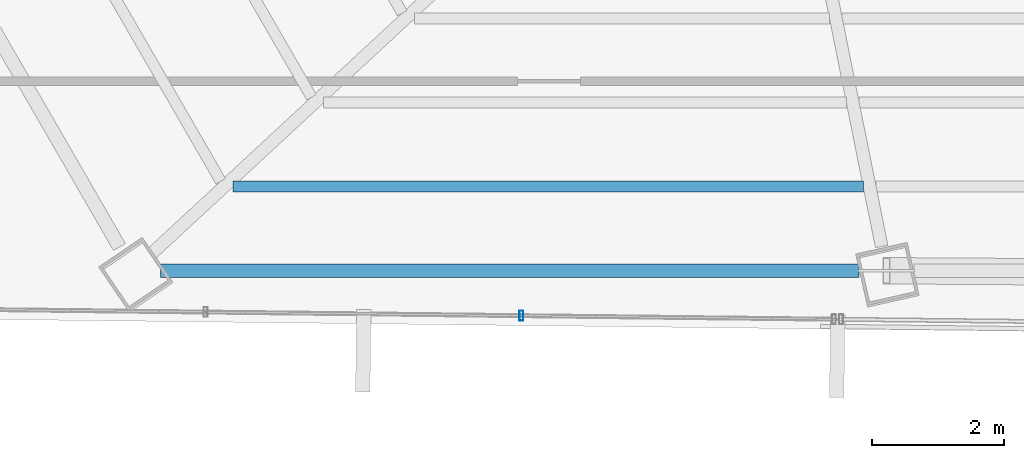
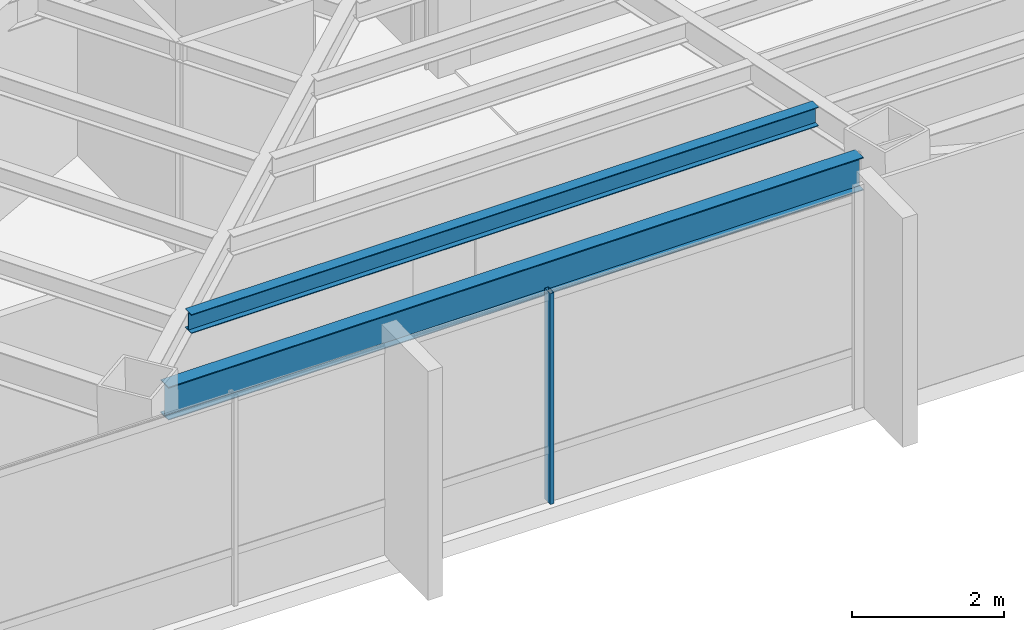
# One storey, part 5 of 41: 2 beams, 1 member, 1 element without a shape of its own.
"""IFC4 building model written with IfcOpenShell, lengths in metres."""

from ifc_helpers import new_model, si_unit, direction, frame, origin, origin_2d, place, context, subcontext, project, spatial, hollow_rectangle, i_section, extrude, source, transform, mapped, material, material_profile, profile_set, type_object, type_shapes, element, aggregate, save


model = new_model("IFC4")

# Units and contexts
model_context = context("Model", 3, precision=1e-05, world=origin(), true_north=direction((0.0, 1.0)))
body_context = subcontext(model_context, "Body", "Model", "MODEL_VIEW")
ifc_project = project(units=[si_unit("LENGTHUNIT", "METRE"), si_unit("AREAUNIT", "SQUARE_METRE"), si_unit("VOLUMEUNIT", "CUBIC_METRE"), si_unit("PLANEANGLEUNIT", "RADIAN"), si_unit("MASSUNIT", "GRAM", prefix="KILO")], contexts=[model_context])

# Site, building, storey
site_placement = place(None, origin())
site = spatial("IfcSite", under=ifc_project, at=site_placement, CompositionType="ELEMENT")
building_placement = place(site_placement, origin())
building = spatial("IfcBuilding", under=site, at=building_placement, Name="Caelisora Broadcast Tower", CompositionType="ELEMENT")
storey_placement = place(building_placement, frame((0.0, 0.0, 209.60009765625)))
storey = spatial("IfcBuildingStorey", under=building, at=storey_placement, Name="L55", CompositionType="ELEMENT", Elevation=209.60009765625)

# Beams
ifc_material_1 = material(Name="Steel Grade 350 (AS/NZS 3679.1)", Category="steel")
ifc_material_profile_1 = material_profile(ifc_material_1, i_section(OverallWidth=0.208984375, OverallDepth=0.532958984375, WebThickness=0.01025390625, FlangeThickness=0.015625, at=origin_2d()), Name="Steel Grade 350 (AS/NZS 3679.1)")
ifc_profile_set_1 = profile_set([ifc_material_profile_1], Name="Steel Grade 350 (AS/NZS 3679.1)")
beam_type_1 = type_object("IfcBeamType", Name="PG05", PredefinedType="BEAM", material=ifc_profile_set_1)
shared_shape_1 = source(origin(), body_context, "Body", "SweptSolid", [
    extrude(i_section(OverallWidth=0.208984375, OverallDepth=0.532958984375, WebThickness=0.01025390625, FlangeThickness=0.015625, at=origin_2d()), origin(), (0.0, 0.0, 1.0), 10.58984375),
])
type_shapes(beam_type_1, [shared_shape_1])
beam_1_placement = place(storey_placement, frame((21.283203125, 8.477294921875, 3.13330078125), z_axis=(1.0, 0.0, 0.0), x_axis=(0.0, 1.0, 0.0)))
element("IfcBeam", 1, at=beam_1_placement, inside=storey, type_object=beam_type_1, Name="L55 beam PG05", PredefinedType="BEAM", context=body_context, shape_type="MappedRepresentation", body=[
    mapped(shared_shape_1, transform((0.0, 0.0, 0.0), scale=1.0)),
])
ifc_material_profile_2 = material_profile(ifc_material_1, i_section(OverallWidth=0.166015625, OverallDepth=0.30712890625, WebThickness=0.006591796875, FlangeThickness=0.01171875, at=origin_2d()), Name="Steel Grade 350 (AS/NZS 3679.1)")
ifc_profile_set_2 = profile_set([ifc_material_profile_2], Name="Steel Grade 350 (AS/NZS 3679.1)")
beam_type_2 = type_object("IfcBeamType", Name="SB03", PredefinedType="JOIST", material=ifc_profile_set_2)
shared_shape_2 = source(origin(), body_context, "Body", "SweptSolid", [
    extrude(i_section(OverallWidth=0.166015625, OverallDepth=0.30712890625, WebThickness=0.006591796875, FlangeThickness=0.01171875, at=origin_2d()), origin(), (0.0, 0.0, 1.0), 9.558349609375),
])
type_shapes(beam_type_2, [shared_shape_2])
beam_2_placement = place(storey_placement, frame((22.380859375, 9.751953125, 3.246337890625), z_axis=(1.0, 0.0, 0.0), x_axis=(0.0, 1.0, 0.0)))
element("IfcBeam", 2, at=beam_2_placement, inside=storey, type_object=beam_type_2, Name="L55 beam SB03", PredefinedType="JOIST", context=body_context, shape_type="MappedRepresentation", body=[
    mapped(shared_shape_2, transform((0.0, 0.0, 0.0), scale=1.0)),
])

# Curtain wall, member
ifc_material_2 = material(Name="Unitised Aluminium and Low-E Glass Curtain Wall", Category="glass")
curtain_wall_type = type_object("IfcCurtainWallType", Name="CW-Z4", PredefinedType="NOTDEFINED", material=ifc_material_2)
curtain_wall_placement = place(storey_placement, origin())
curtain_wall = element("IfcCurtainWall", 3, at=curtain_wall_placement, inside=storey, type_object=curtain_wall_type, Name="L55 curtain wall CW-Z4", PredefinedType="NOTDEFINED")
ifc_material_3 = material(Name="Aluminium 6063-T6 Anodised Terracotta Bronze", Category="aluminium")
ifc_material_profile_3 = material_profile(ifc_material_3, hollow_rectangle(XDim=0.06005859375, YDim=0.14990234375, WallThickness=0.00341796875, at=origin_2d()), Name="Aluminium 6063-T6 Anodised Terracotta Bronze")
ifc_profile_set_3 = profile_set([ifc_material_profile_3], Name="Aluminium 6063-T6 Anodised Terracotta Bronze")
member_type = type_object("IfcMemberType", Name="CWM-03", PredefinedType="MULLION", material=ifc_profile_set_3)
shared_shape_3 = source(origin(), body_context, "Body", "SweptSolid", [
    extrude(hollow_rectangle(XDim=0.06005859375, YDim=0.14990234375, WallThickness=0.00341796875, at=origin_2d()), origin(), (0.0, 0.0, 1.0), 3.39990234375),
])
type_shapes(member_type, [shared_shape_3])
member_placement = place(storey_placement, frame((26.75439453125, 7.796630859375, 0.0), z_axis=(0.0, 0.0, 1.0), x_axis=(1.0, 0.0, 0.0)))
member = element("IfcMember", 4, at=member_placement, type_object=member_type, Name="L55-CW-B07 mullion #1", PredefinedType="MULLION", context=body_context, shape_type="MappedRepresentation", body=[
    mapped(shared_shape_3, transform((0.0, 0.0, 0.0), scale=1.0)),
])
aggregate(curtain_wall, [member])

save(model, "model.ifc")
